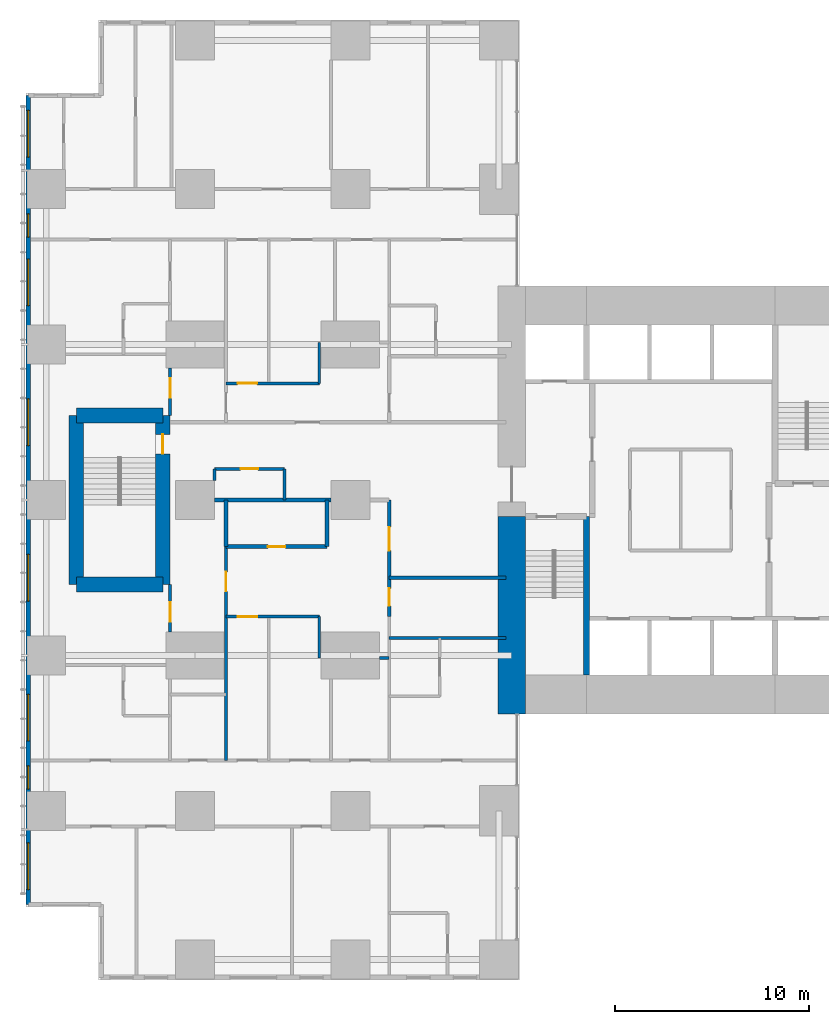
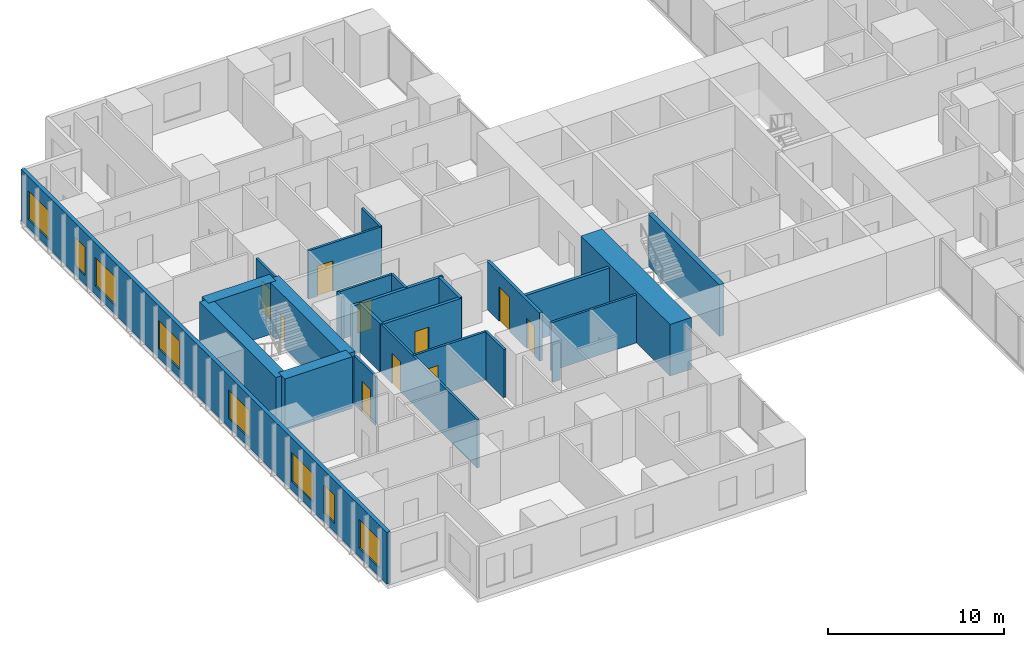
# One storey, part 13 of 21: 25 walls, 10 doors, 8 windows, 18 openings.
"""IFC4 building model written with IfcOpenShell, lengths in metres."""

from ifc_helpers import new_model, si_unit, direction, frame, frame_2d, origin, place, context, subcontext, project, spatial, rectangle, extrude, material, layer, layer_set, type_object, element, fill, save


model = new_model("IFC4")

# Units and contexts
model_context = context("Model", 3, precision=1e-05, world=origin(), true_north=direction((0.0, 1.0)))
body_context = subcontext(model_context, "Body", "Model", "MODEL_VIEW")
ifc_project = project(units=[si_unit("LENGTHUNIT", "METRE"), si_unit("AREAUNIT", "SQUARE_METRE"), si_unit("VOLUMEUNIT", "CUBIC_METRE"), si_unit("PLANEANGLEUNIT", "RADIAN"), si_unit("MASSUNIT", "GRAM", prefix="KILO")], contexts=[model_context])

# Site, building, storey
site_placement = place(None, origin())
site = spatial("IfcSite", under=ifc_project, at=site_placement, CompositionType="ELEMENT")
building_placement = place(site_placement, origin())
building = spatial("IfcBuilding", under=site, at=building_placement, Name="Cleftline Residences", CompositionType="ELEMENT")
storey_placement = place(building_placement, frame((0.0, 0.0, 65.60009765625)))
storey = spatial("IfcBuildingStorey", under=building, at=storey_placement, Name="L16", CompositionType="ELEMENT", Elevation=65.60009765625)

# Walls
ifc_material_1 = material(Name="Concrete B70", Category="concrete")
ifc_layer_1 = layer(ifc_material_1, 1.39990234375)
ifc_layer_set_1 = layer_set([ifc_layer_1], Name="CORE WALL 1400")
wall_type_1 = type_object("IfcWallType", Name="CORE WALL 1400", PredefinedType="SHEAR", material=ifc_layer_set_1)
wall_1_placement = place(storey_placement, frame((24.300048828125, 13.0, 0.0), z_axis=(0.0, 0.0, 1.0), x_axis=(0.0, 1.0, 0.0)))
element("IfcWall", 1, at=wall_1_placement, inside=storey, type_object=wall_type_1, Name="Core wall W0", PredefinedType="SHEAR", context=body_context, shape_type="SweptSolid", body=[
    extrude(rectangle(XDim=10.14990234375, YDim=1.39990234375, at=frame_2d((5.074951171875, 0.0))), origin(), (0.0, 0.0, 1.0), 3.599853515625),
])
ifc_material_2 = material(Name="Concrete B70", Category="concrete")
ifc_layer_2 = layer(ifc_material_2, 0.300048828125)
ifc_layer_set_2 = layer_set([ifc_layer_2], Name="CORE WALL 300")
wall_type_2 = type_object("IfcWallType", Name="CORE WALL 300", PredefinedType="SHEAR", material=ifc_layer_set_2)
wall_2_placement = place(storey_placement, frame((28.14990234375, 15.0, 0.0), z_axis=(0.0, 0.0, 1.0), x_axis=(0.0, 1.0, 0.0)))
element("IfcWall", 2, at=wall_2_placement, inside=storey, type_object=wall_type_2, Name="Core wall SA-E", PredefinedType="SHEAR", context=body_context, shape_type="SweptSolid", body=[
    extrude(rectangle(XDim=8.14990234375, YDim=0.300048828125, at=frame_2d((4.074951171875, 0.0))), origin(), (0.0, 0.0, 1.0), 3.599853515625),
])

# Wall, openings, windows
ifc_material_3 = material(Name="Rendered reinforced concrete blockwork", Category="masonry")
ifc_layer_3 = layer(ifc_material_3, 0.25)
ifc_layer_set_3 = layer_set([ifc_layer_3], Name="EXTERNAL WALL 250")
wall_type_3 = type_object("IfcWallType", Name="EXTERNAL WALL 250", PredefinedType="SOLIDWALL", material=ifc_layer_set_3)
wall_3_placement = place(storey_placement, frame((-0.574951171875, 44.824951171875, 0.0), z_axis=(0.0, 0.0, 1.0), x_axis=(0.0, -1.0, 0.0)))
wall_3 = element("IfcWall", 3, at=wall_3_placement, inside=storey, type_object=wall_type_3, Name="External wall", PredefinedType="SOLIDWALL", context=body_context, shape_type="SweptSolid", body=[
    extrude(rectangle(XDim=41.64990234375, YDim=0.25, at=frame_2d((20.824951171875, 0.0))), origin(), (0.0, 0.0, 1.0), 3.599853515625),
])
opening_1_placement = place(wall_3_placement, frame((0.77490234375, 0.0, 0.60009765625)))
opening_1 = element("IfcOpeningElement", 4, at=opening_1_placement, cuts=wall_3, Name="Opening W6", PredefinedType="OPENING", context=body_context, shape_type="SweptSolid", body=[
    extrude(rectangle(XDim=2.39990234375, YDim=2.0, at=frame_2d((1.199951171875, 1.0))), frame((0.0, 0.135009765625, 0.0), z_axis=(0.0, -1.0, 0.0), x_axis=(1.0, 0.0, 0.0)), (0.0, 0.0, 1.0), 0.27001953125),
])
opening_2_placement = place(wall_3_placement, frame((6.10009765625, 0.0, 0.60009765625)))
opening_2 = element("IfcOpeningElement", 5, at=opening_2_placement, cuts=wall_3, Name="Opening W8", PredefinedType="OPENING", context=body_context, shape_type="SweptSolid", body=[
    extrude(rectangle(XDim=1.199951171875, YDim=2.0, at=frame_2d((0.60009765625, 1.0))), frame((0.0, 0.135009765625, 0.0), z_axis=(0.0, -1.0, 0.0), x_axis=(1.0, 0.0, 0.0)), (0.0, 0.0, 1.0), 0.27001953125),
])
opening_3_placement = place(wall_3_placement, frame((8.425048828125, 0.0, 0.60009765625)))
opening_3 = element("IfcOpeningElement", 6, at=opening_3_placement, cuts=wall_3, Name="Opening W6", PredefinedType="OPENING", context=body_context, shape_type="SweptSolid", body=[
    extrude(rectangle(XDim=2.39990234375, YDim=2.0, at=frame_2d((1.199951171875, 1.0))), frame((0.0, 0.135009765625, 0.0), z_axis=(0.0, -1.0, 0.0), x_axis=(1.0, 0.0, 0.0)), (0.0, 0.0, 1.0), 0.27001953125),
])
opening_4_placement = place(wall_3_placement, frame((15.625, 0.0, 0.60009765625)))
opening_4 = element("IfcOpeningElement", 7, at=opening_4_placement, cuts=wall_3, Name="Opening W6", PredefinedType="OPENING", context=body_context, shape_type="SweptSolid", body=[
    extrude(rectangle(XDim=2.39990234375, YDim=2.0, at=frame_2d((1.199951171875, 1.0))), frame((0.0, 0.135009765625, 0.0), z_axis=(0.0, -1.0, 0.0), x_axis=(1.0, 0.0, 0.0)), (0.0, 0.0, 1.0), 0.27001953125),
])
opening_5_placement = place(wall_3_placement, frame((23.625, 0.0, 0.60009765625)))
opening_5 = element("IfcOpeningElement", 8, at=opening_5_placement, cuts=wall_3, Name="Opening W6", PredefinedType="OPENING", context=body_context, shape_type="SweptSolid", body=[
    extrude(rectangle(XDim=2.39990234375, YDim=2.0, at=frame_2d((1.199951171875, 1.0))), frame((0.0, 0.135009765625, 0.0), z_axis=(0.0, -1.0, 0.0), x_axis=(1.0, 0.0, 0.0)), (0.0, 0.0, 1.0), 0.27001953125),
])
opening_6_placement = place(wall_3_placement, frame((30.824951171875, 0.0, 0.60009765625)))
opening_6 = element("IfcOpeningElement", 9, at=opening_6_placement, cuts=wall_3, Name="Opening W6", PredefinedType="OPENING", context=body_context, shape_type="SweptSolid", body=[
    extrude(rectangle(XDim=2.39990234375, YDim=2.0, at=frame_2d((1.199951171875, 1.0))), frame((0.0, 0.135009765625, 0.0), z_axis=(0.0, -1.0, 0.0), x_axis=(1.0, 0.0, 0.0)), (0.0, 0.0, 1.0), 0.27001953125),
])
opening_7_placement = place(wall_3_placement, frame((34.5, 0.0, 0.60009765625)))
opening_7 = element("IfcOpeningElement", 10, at=opening_7_placement, cuts=wall_3, Name="Opening W8", PredefinedType="OPENING", context=body_context, shape_type="SweptSolid", body=[
    extrude(rectangle(XDim=1.199951171875, YDim=2.0, at=frame_2d((0.60009765625, 1.0))), frame((0.0, 0.135009765625, 0.0), z_axis=(0.0, -1.0, 0.0), x_axis=(1.0, 0.0, 0.0)), (0.0, 0.0, 1.0), 0.27001953125),
])
opening_8_placement = place(wall_3_placement, frame((38.47509765625, 0.0, 0.60009765625)))
opening_8 = element("IfcOpeningElement", 11, at=opening_8_placement, cuts=wall_3, Name="Opening W6", PredefinedType="OPENING", context=body_context, shape_type="SweptSolid", body=[
    extrude(rectangle(XDim=2.39990234375, YDim=2.0, at=frame_2d((1.199951171875, 1.0))), frame((0.0, 0.135009765625, 0.0), z_axis=(0.0, -1.0, 0.0), x_axis=(1.0, 0.0, 0.0)), (0.0, 0.0, 1.0), 0.27001953125),
])
ifc_material_4 = material(Name="Aluminium frame, clear double glazing", Category="aluminium")
window_type_1 = type_object("IfcWindowType", Name="WINDOW 1200X2000", PartitioningType="DOUBLE_PANEL_VERTICAL", PredefinedType="WINDOW", material=ifc_material_4)
window_1_placement = place(opening_2_placement, origin())
window_1 = element("IfcWindow", 12, at=window_1_placement, inside=storey, type_object=window_type_1, Name="Window", OverallHeight=2.0, OverallWidth=1.199951171875, PartitioningType="SINGLE_PANEL", PredefinedType="WINDOW", context=body_context, shape_type="SweptSolid", body=[
    extrude(rectangle(XDim=1.199951171875, YDim=2.0, at=frame_2d((0.60009765625, 1.0))), frame((0.0, 0.030029296875, 0.0), z_axis=(0.0, -1.0, 0.0), x_axis=(1.0, 0.0, 0.0)), (0.0, 0.0, 1.0), 0.06005859375),
])
fill(opening_2, window_1)
window_2_placement = place(opening_7_placement, origin())
window_2 = element("IfcWindow", 13, at=window_2_placement, inside=storey, type_object=window_type_1, Name="Window", OverallHeight=2.0, OverallWidth=1.199951171875, PartitioningType="SINGLE_PANEL", PredefinedType="WINDOW", context=body_context, shape_type="SweptSolid", body=[
    extrude(rectangle(XDim=1.199951171875, YDim=2.0, at=frame_2d((0.60009765625, 1.0))), frame((0.0, 0.030029296875, 0.0), z_axis=(0.0, -1.0, 0.0), x_axis=(1.0, 0.0, 0.0)), (0.0, 0.0, 1.0), 0.06005859375),
])
fill(opening_7, window_2)
ifc_material_5 = material(Name="Aluminium frame, clear double glazing", Category="aluminium")
window_type_2 = type_object("IfcWindowType", Name="WINDOW 2400X2000", PartitioningType="DOUBLE_PANEL_VERTICAL", PredefinedType="WINDOW", material=ifc_material_5)
window_3_placement = place(opening_1_placement, origin())
window_3 = element("IfcWindow", 14, at=window_3_placement, inside=storey, type_object=window_type_2, Name="Window", OverallHeight=2.0, OverallWidth=2.39990234375, PartitioningType="SINGLE_PANEL", PredefinedType="WINDOW", context=body_context, shape_type="SweptSolid", body=[
    extrude(rectangle(XDim=2.39990234375, YDim=2.0, at=frame_2d((1.199951171875, 1.0))), frame((0.0, 0.030029296875, 0.0), z_axis=(0.0, -1.0, 0.0), x_axis=(1.0, 0.0, 0.0)), (0.0, 0.0, 1.0), 0.06005859375),
])
fill(opening_1, window_3)
window_4_placement = place(opening_3_placement, origin())
window_4 = element("IfcWindow", 15, at=window_4_placement, inside=storey, type_object=window_type_2, Name="Window", OverallHeight=2.0, OverallWidth=2.39990234375, PartitioningType="SINGLE_PANEL", PredefinedType="WINDOW", context=body_context, shape_type="SweptSolid", body=[
    extrude(rectangle(XDim=2.39990234375, YDim=2.0, at=frame_2d((1.199951171875, 1.0))), frame((0.0, 0.030029296875, 0.0), z_axis=(0.0, -1.0, 0.0), x_axis=(1.0, 0.0, 0.0)), (0.0, 0.0, 1.0), 0.06005859375),
])
fill(opening_3, window_4)
window_5_placement = place(opening_4_placement, origin())
window_5 = element("IfcWindow", 16, at=window_5_placement, inside=storey, type_object=window_type_2, Name="Window", OverallHeight=2.0, OverallWidth=2.39990234375, PartitioningType="SINGLE_PANEL", PredefinedType="WINDOW", context=body_context, shape_type="SweptSolid", body=[
    extrude(rectangle(XDim=2.39990234375, YDim=2.0, at=frame_2d((1.199951171875, 1.0))), frame((0.0, 0.030029296875, 0.0), z_axis=(0.0, -1.0, 0.0), x_axis=(1.0, 0.0, 0.0)), (0.0, 0.0, 1.0), 0.06005859375),
])
fill(opening_4, window_5)
window_6_placement = place(opening_5_placement, origin())
window_6 = element("IfcWindow", 17, at=window_6_placement, inside=storey, type_object=window_type_2, Name="Window", OverallHeight=2.0, OverallWidth=2.39990234375, PartitioningType="SINGLE_PANEL", PredefinedType="WINDOW", context=body_context, shape_type="SweptSolid", body=[
    extrude(rectangle(XDim=2.39990234375, YDim=2.0, at=frame_2d((1.199951171875, 1.0))), frame((0.0, 0.030029296875, 0.0), z_axis=(0.0, -1.0, 0.0), x_axis=(1.0, 0.0, 0.0)), (0.0, 0.0, 1.0), 0.06005859375),
])
fill(opening_5, window_6)
window_7_placement = place(opening_6_placement, origin())
window_7 = element("IfcWindow", 18, at=window_7_placement, inside=storey, type_object=window_type_2, Name="Window", OverallHeight=2.0, OverallWidth=2.39990234375, PartitioningType="SINGLE_PANEL", PredefinedType="WINDOW", context=body_context, shape_type="SweptSolid", body=[
    extrude(rectangle(XDim=2.39990234375, YDim=2.0, at=frame_2d((1.199951171875, 1.0))), frame((0.0, 0.030029296875, 0.0), z_axis=(0.0, -1.0, 0.0), x_axis=(1.0, 0.0, 0.0)), (0.0, 0.0, 1.0), 0.06005859375),
])
fill(opening_6, window_7)
window_8_placement = place(opening_8_placement, origin())
window_8 = element("IfcWindow", 19, at=window_8_placement, inside=storey, type_object=window_type_2, Name="Window", OverallHeight=2.0, OverallWidth=2.39990234375, PartitioningType="SINGLE_PANEL", PredefinedType="WINDOW", context=body_context, shape_type="SweptSolid", body=[
    extrude(rectangle(XDim=2.39990234375, YDim=2.0, at=frame_2d((1.199951171875, 1.0))), frame((0.0, 0.030029296875, 0.0), z_axis=(0.0, -1.0, 0.0), x_axis=(1.0, 0.0, 0.0)), (0.0, 0.0, 1.0), 0.06005859375),
])
fill(opening_8, window_8)

# Wall
ifc_material_6 = material(Name="Concrete blockwork, fire rated", Category="masonry")
ifc_layer_4 = layer(ifc_material_6, 0.199951171875)
ifc_layer_set_4 = layer_set([ifc_layer_4], Name="FIRE WALL 200")
wall_type_4 = type_object("IfcWallType", Name="FIRE WALL 200", PredefinedType="PARTITIONING", material=ifc_layer_set_4)
wall_4_placement = place(storey_placement, frame((18.0, 20.0, 0.0), z_axis=(0.0, 0.0, 1.0), x_axis=(1.0, 0.0, 0.0)))
element("IfcWall", 20, at=wall_4_placement, inside=storey, type_object=wall_type_4, Name="Fire separating wall", PredefinedType="PARTITIONING", context=body_context, shape_type="SweptSolid", body=[
    extrude(rectangle(XDim=6.0, YDim=0.199951171875, at=frame_2d((3.0, 0.0))), origin(), (0.0, 0.0, 1.0), 3.349853515625),
])

# Wall, opening, door
wall_5_placement = place(storey_placement, frame((9.60009765625, 21.60009765625, 0.0), z_axis=(0.0, 0.0, 1.0), x_axis=(1.0, 0.0, 0.0)))
wall_5 = element("IfcWall", 21, at=wall_5_placement, inside=storey, type_object=wall_type_4, Name="Fire separating wall", PredefinedType="PARTITIONING", context=body_context, shape_type="SweptSolid", body=[
    extrude(rectangle(XDim=5.199951171875, YDim=0.199951171875, at=frame_2d((2.60009765625, 0.0))), origin(), (0.0, 0.0, 1.0), 3.349853515625),
])
opening_9_placement = place(wall_5_placement, frame((2.14990234375, 0.0, 0.0)))
opening_9 = element("IfcOpeningElement", 22, at=opening_9_placement, cuts=wall_5, Name="Opening D1F30", PredefinedType="OPENING", context=body_context, shape_type="SweptSolid", body=[
    extrude(rectangle(XDim=0.89990234375, YDim=2.10009765625, at=frame_2d((0.449951171875, 1.050048828125))), frame((0.0, 0.10986328125, 0.0), z_axis=(0.0, -1.0, 0.0), x_axis=(1.0, 0.0, 0.0)), (0.0, 0.0, 1.0), 0.219970703125),
])
ifc_material_7 = material(Name="Timber veneer on solid core", Category="wood")
door_type_1 = type_object("IfcDoorType", Name="DOOR 900X2100 EI 30", OperationType="SINGLE_SWING_LEFT", PredefinedType="DOOR", material=ifc_material_7)
door_1_placement = place(opening_9_placement, origin())
door_1 = element("IfcDoor", 23, at=door_1_placement, inside=storey, type_object=door_type_1, Name="Door to cloakroom wc", OperationType="SINGLE_SWING_LEFT", OverallHeight=2.10009765625, OverallWidth=0.89990234375, PredefinedType="DOOR", context=body_context, shape_type="SweptSolid", body=[
    extrude(rectangle(XDim=0.89990234375, YDim=2.10009765625, at=frame_2d((0.449951171875, 1.050048828125))), frame((0.0, 0.02490234375, 0.0), z_axis=(0.0, -1.0, 0.0), x_axis=(1.0, 0.0, 0.0)), (0.0, 0.0, 1.0), 0.050048828125),
])
fill(opening_9, door_1)

# Walls
wall_6_placement = place(storey_placement, frame((9.0, 24.0, 0.0), z_axis=(0.0, 0.0, 1.0), x_axis=(1.0, 0.0, 0.0)))
element("IfcWall", 24, at=wall_6_placement, inside=storey, type_object=wall_type_4, Name="Fire separating wall", PredefinedType="PARTITIONING", context=body_context, shape_type="SweptSolid", body=[
    extrude(rectangle(XDim=6.0, YDim=0.199951171875, at=frame_2d((3.0, 0.0))), origin(), (0.0, 0.0, 1.0), 3.349853515625),
])
for number, where, z_axis, x_axis, name in (
    (25, (9.60009765625, 21.60009765625, 0.0), (0.0, 0.0, 1.0), (0.0, 1.0, 0.0), "Fire separating wall"),
    (26, (14.800048828125, 21.60009765625, 0.0), (0.0, 0.0, 1.0), (0.0, 1.0, 0.0), "Fire separating wall"),
):
    element("IfcWall", number, at=place(storey_placement, frame(where, z_axis=z_axis, x_axis=x_axis)), inside=storey, type_object=wall_type_4, Name=name, PredefinedType="PARTITIONING", context=body_context, shape_type="SweptSolid", body=[
        extrude(rectangle(XDim=2.39990234375, YDim=0.199951171875, at=frame_2d((1.199951171875, 0.0))), origin(), (0.0, 0.0, 1.0), 3.349853515625),
    ])

# Wall, openings, doors
wall_7_placement = place(storey_placement, frame((18.0, 18.0, 0.0), z_axis=(0.0, 0.0, 1.0), x_axis=(0.0, 1.0, 0.0)))
wall_7 = element("IfcWall", 27, at=wall_7_placement, inside=storey, type_object=wall_type_4, Name="Fire separating wall", PredefinedType="PARTITIONING", context=body_context, shape_type="SweptSolid", body=[
    extrude(rectangle(XDim=6.0, YDim=0.199951171875, at=frame_2d((3.0, 0.0))), origin(), (0.0, 0.0, 1.0), 3.349853515625),
])
opening_10_placement = place(wall_7_placement, frame((3.39990234375, 0.0, 0.0)))
opening_10 = element("IfcOpeningElement", 28, at=opening_10_placement, cuts=wall_7, Name="Opening D4", PredefinedType="OPENING", context=body_context, shape_type="SweptSolid", body=[
    extrude(rectangle(XDim=1.199951171875, YDim=2.39990234375, at=frame_2d((0.60009765625, 1.199951171875))), frame((0.0, 0.10986328125, 0.0), z_axis=(0.0, -1.0, 0.0), x_axis=(1.0, 0.0, 0.0)), (0.0, 0.0, 1.0), 0.219970703125),
])
opening_11_placement = place(wall_7_placement, frame((0.550048828125, 0.0, 0.0)))
opening_11 = element("IfcOpeningElement", 29, at=opening_11_placement, cuts=wall_7, Name="Opening D1F30", PredefinedType="OPENING", context=body_context, shape_type="SweptSolid", body=[
    extrude(rectangle(XDim=0.89990234375, YDim=2.10009765625, at=frame_2d((0.449951171875, 1.050048828125))), frame((0.0, 0.10986328125, 0.0), z_axis=(0.0, -1.0, 0.0), x_axis=(1.0, 0.0, 0.0)), (0.0, 0.0, 1.0), 0.219970703125),
])
ifc_material_8 = material(Name="Timber veneer on solid core", Category="wood")
door_type_2 = type_object("IfcDoorType", Name="APARTMENT ENTRANCE DOOR 1200X2400", OperationType="SINGLE_SWING_RIGHT", PredefinedType="DOOR", material=ifc_material_8)
door_2_placement = place(opening_10_placement, origin())
door_2 = element("IfcDoor", 30, at=door_2_placement, inside=storey, type_object=door_type_2, Name="Door to residence entrance foyer", OperationType="SINGLE_SWING_LEFT", OverallHeight=2.39990234375, OverallWidth=1.199951171875, PredefinedType="DOOR", context=body_context, shape_type="SweptSolid", body=[
    extrude(rectangle(XDim=1.199951171875, YDim=2.39990234375, at=frame_2d((0.60009765625, 1.199951171875))), frame((0.0, 0.02490234375, 0.0), z_axis=(0.0, -1.0, 0.0), x_axis=(1.0, 0.0, 0.0)), (0.0, 0.0, 1.0), 0.050048828125),
])
fill(opening_10, door_2)
door_3_placement = place(opening_11_placement, origin())
door_3 = element("IfcDoor", 31, at=door_3_placement, inside=storey, type_object=door_type_1, Name="Door to laundry", OperationType="SINGLE_SWING_RIGHT", OverallHeight=2.10009765625, OverallWidth=0.89990234375, PredefinedType="DOOR", context=body_context, shape_type="SweptSolid", body=[
    extrude(rectangle(XDim=0.89990234375, YDim=2.10009765625, at=frame_2d((0.449951171875, 1.050048828125))), frame((0.0, 0.02490234375, 0.0), z_axis=(0.0, -1.0, 0.0), x_axis=(1.0, 0.0, 0.0)), (0.0, 0.0, 1.0), 0.050048828125),
])
fill(opening_11, door_3)

# Walls
ifc_material_9 = material(Name="Gypsum board on steel studs", Category="steel")
ifc_layer_5 = layer(ifc_material_9, 0.14990234375)
ifc_layer_set_5 = layer_set([ifc_layer_5], Name="PARTITION 150")
wall_type_5 = type_object("IfcWallType", Name="PARTITION 150", PredefinedType="PARTITIONING", material=ifc_layer_set_5)
wall_8_placement = place(storey_placement, frame((17.5, 15.875, 0.0), z_axis=(0.0, 0.0, 1.0), x_axis=(1.0, 0.0, 0.0)))
element("IfcWall", 32, at=wall_8_placement, inside=storey, type_object=wall_type_5, Name="Partition", PredefinedType="PARTITIONING", context=body_context, shape_type="SweptSolid", body=[
    extrude(rectangle(XDim=0.5, YDim=0.14990234375, at=frame_2d((0.25, 0.0))), origin(), (0.0, 0.0, 1.0), 2.6337890625),
])
wall_9_placement = place(storey_placement, frame((18.0, 16.89990234375, 0.0), z_axis=(0.0, 0.0, 1.0), x_axis=(1.0, 0.0, 0.0)))
element("IfcWall", 33, at=wall_9_placement, inside=storey, type_object=wall_type_5, Name="Partition", PredefinedType="PARTITIONING", context=body_context, shape_type="SweptSolid", body=[
    extrude(rectangle(XDim=6.0, YDim=0.14990234375, at=frame_2d((3.0, 0.0))), origin(), (0.0, 0.0, 1.0), 3.349853515625),
])

# Wall, opening, door
wall_10_placement = place(storey_placement, frame((9.60009765625, 18.0, 0.0), z_axis=(0.0, 0.0, 1.0), x_axis=(1.0, 0.0, 0.0)))
wall_10 = element("IfcWall", 34, at=wall_10_placement, inside=storey, type_object=wall_type_5, Name="Partition", PredefinedType="PARTITIONING", context=body_context, shape_type="SweptSolid", body=[
    extrude(rectangle(XDim=4.7998046875, YDim=0.14990234375, at=frame_2d((2.39990234375, 0.0))), origin(), (0.0, 0.0, 1.0), 3.349853515625),
])
opening_12_placement = place(wall_10_placement, frame((0.60009765625, 0.0, 0.0)))
opening_12 = element("IfcOpeningElement", 35, at=opening_12_placement, cuts=wall_10, Name="Opening D2", PredefinedType="OPENING", context=body_context, shape_type="SweptSolid", body=[
    extrude(rectangle(XDim=1.0, YDim=2.10009765625, at=frame_2d((0.5, 1.050048828125))), frame((0.0, 0.0849609375, 0.0), z_axis=(0.0, -1.0, 0.0), x_axis=(1.0, 0.0, 0.0)), (0.0, 0.0, 1.0), 0.169921875),
])
ifc_material_10 = material(Name="Timber veneer on solid core", Category="wood")
door_type_3 = type_object("IfcDoorType", Name="DOOR 1000X2100", OperationType="SINGLE_SWING_LEFT", PredefinedType="DOOR", material=ifc_material_10)
door_4_placement = place(opening_12_placement, origin())
door_4 = element("IfcDoor", 36, at=door_4_placement, inside=storey, type_object=door_type_3, Name="Door to residence passage", OperationType="SINGLE_SWING_RIGHT", OverallHeight=2.10009765625, OverallWidth=1.0, PredefinedType="DOOR", context=body_context, shape_type="SweptSolid", body=[
    extrude(rectangle(XDim=1.0, YDim=2.10009765625, at=frame_2d((0.5, 1.050048828125))), frame((0.0, 0.02490234375, 0.0), z_axis=(0.0, -1.0, 0.0), x_axis=(1.0, 0.0, 0.0)), (0.0, 0.0, 1.0), 0.050048828125),
])
fill(opening_12, door_4)

wall_11_placement = place(storey_placement, frame((9.0, 25.60009765625, 0.0), z_axis=(0.0, 0.0, 1.0), x_axis=(1.0, 0.0, 0.0)))
wall_11 = element("IfcWall", 37, at=wall_11_placement, inside=storey, type_object=wall_type_5, Name="Partition", PredefinedType="PARTITIONING", context=body_context, shape_type="SweptSolid", body=[
    extrude(rectangle(XDim=3.60009765625, YDim=0.14990234375, at=frame_2d((1.800048828125, 0.0))), origin(), (0.0, 0.0, 1.0), 3.349853515625),
])
opening_13_placement = place(wall_11_placement, frame((1.35009765625, 0.0, 0.0)))
opening_13 = element("IfcOpeningElement", 38, at=opening_13_placement, cuts=wall_11, Name="Opening D1", PredefinedType="OPENING", context=body_context, shape_type="SweptSolid", body=[
    extrude(rectangle(XDim=0.89990234375, YDim=2.10009765625, at=frame_2d((0.449951171875, 1.050048828125))), frame((0.0, 0.0849609375, 0.0), z_axis=(0.0, -1.0, 0.0), x_axis=(1.0, 0.0, 0.0)), (0.0, 0.0, 1.0), 0.169921875),
])
ifc_material_11 = material(Name="Timber veneer on solid core", Category="wood")
door_type_4 = type_object("IfcDoorType", Name="DOOR 900X2100", OperationType="SINGLE_SWING_LEFT", PredefinedType="DOOR", material=ifc_material_11)
door_5_placement = place(opening_13_placement, origin())
door_5 = element("IfcDoor", 39, at=door_5_placement, inside=storey, type_object=door_type_4, Name="Door to residents' storage room", OperationType="SINGLE_SWING_LEFT", OverallHeight=2.10009765625, OverallWidth=0.89990234375, PredefinedType="DOOR", context=body_context, shape_type="SweptSolid", body=[
    extrude(rectangle(XDim=0.89990234375, YDim=2.10009765625, at=frame_2d((0.449951171875, 1.050048828125))), frame((0.0, 0.02490234375, 0.0), z_axis=(0.0, -1.0, 0.0), x_axis=(1.0, 0.0, 0.0)), (0.0, 0.0, 1.0), 0.050048828125),
])
fill(opening_13, door_5)

wall_12_placement = place(storey_placement, frame((9.60009765625, 30.0, 0.0), z_axis=(0.0, 0.0, 1.0), x_axis=(1.0, 0.0, 0.0)))
wall_12 = element("IfcWall", 40, at=wall_12_placement, inside=storey, type_object=wall_type_5, Name="Partition", PredefinedType="PARTITIONING", context=body_context, shape_type="SweptSolid", body=[
    extrude(rectangle(XDim=4.7998046875, YDim=0.14990234375, at=frame_2d((2.39990234375, 0.0))), origin(), (0.0, 0.0, 1.0), 3.349853515625),
])
opening_14_placement = place(wall_12_placement, frame((0.60009765625, 0.0, 0.0)))
opening_14 = element("IfcOpeningElement", 41, at=opening_14_placement, cuts=wall_12, Name="Opening D2", PredefinedType="OPENING", context=body_context, shape_type="SweptSolid", body=[
    extrude(rectangle(XDim=1.0, YDim=2.10009765625, at=frame_2d((0.5, 1.050048828125))), frame((0.0, 0.0849609375, 0.0), z_axis=(0.0, -1.0, 0.0), x_axis=(1.0, 0.0, 0.0)), (0.0, 0.0, 1.0), 0.169921875),
])
door_6_placement = place(opening_14_placement, origin())
door_6 = element("IfcDoor", 42, at=door_6_placement, inside=storey, type_object=door_type_3, Name="Door to residence passage", OperationType="SINGLE_SWING_RIGHT", OverallHeight=2.10009765625, OverallWidth=1.0, PredefinedType="DOOR", context=body_context, shape_type="SweptSolid", body=[
    extrude(rectangle(XDim=1.0, YDim=2.10009765625, at=frame_2d((0.5, 1.050048828125))), frame((0.0, 0.02490234375, 0.0), z_axis=(0.0, -1.0, 0.0), x_axis=(1.0, 0.0, 0.0)), (0.0, 0.0, 1.0), 0.050048828125),
])
fill(opening_14, door_6)

wall_13_placement = place(storey_placement, frame((6.72509765625, 17.199951171875, 0.0), z_axis=(0.0, 0.0, 1.0), x_axis=(0.0, 1.0, 0.0)))
wall_13 = element("IfcWall", 43, at=wall_13_placement, inside=storey, type_object=wall_type_5, Name="Partition", PredefinedType="PARTITIONING", context=body_context, shape_type="SweptSolid", body=[
    extrude(rectangle(XDim=2.449951171875, YDim=0.14990234375, at=frame_2d((1.22509765625, 0.0))), origin(), (0.0, 0.0, 1.0), 3.349853515625),
])
opening_15_placement = place(wall_13_placement, frame((0.53759765625, 0.0, 0.0)))
opening_15 = element("IfcOpeningElement", 44, at=opening_15_placement, cuts=wall_13, Name="Opening D2", PredefinedType="OPENING", context=body_context, shape_type="SweptSolid", body=[
    extrude(rectangle(XDim=1.0, YDim=2.10009765625, at=frame_2d((0.5, 1.050048828125))), frame((0.0, 0.0849609375, 0.0), z_axis=(0.0, -1.0, 0.0), x_axis=(1.0, 0.0, 0.0)), (0.0, 0.0, 1.0), 0.169921875),
])
door_7_placement = place(opening_15_placement, origin())
door_7 = element("IfcDoor", 45, at=door_7_placement, inside=storey, type_object=door_type_3, Name="Door to staff bedroom", OperationType="SINGLE_SWING_RIGHT", OverallHeight=2.10009765625, OverallWidth=1.0, PredefinedType="DOOR", context=body_context, shape_type="SweptSolid", body=[
    extrude(rectangle(XDim=1.0, YDim=2.10009765625, at=frame_2d((0.5, 1.050048828125))), frame((0.0, 0.02490234375, 0.0), z_axis=(0.0, -1.0, 0.0), x_axis=(1.0, 0.0, 0.0)), (0.0, 0.0, 1.0), 0.050048828125),
])
fill(opening_15, door_7)

wall_14_placement = place(storey_placement, frame((6.72509765625, 28.35009765625, 0.0), z_axis=(0.0, 0.0, 1.0), x_axis=(0.0, 1.0, 0.0)))
wall_14 = element("IfcWall", 46, at=wall_14_placement, inside=storey, type_object=wall_type_5, Name="Partition", PredefinedType="PARTITIONING", context=body_context, shape_type="SweptSolid", body=[
    extrude(rectangle(XDim=2.449951171875, YDim=0.14990234375, at=frame_2d((1.22509765625, 0.0))), origin(), (0.0, 0.0, 1.0), 3.349853515625),
])
opening_16_placement = place(wall_14_placement, frame((0.91259765625, 0.0, 0.0)))
opening_16 = element("IfcOpeningElement", 47, at=opening_16_placement, cuts=wall_14, Name="Opening D2", PredefinedType="OPENING", context=body_context, shape_type="SweptSolid", body=[
    extrude(rectangle(XDim=1.0, YDim=2.10009765625, at=frame_2d((0.5, 1.050048828125))), frame((0.0, 0.0849609375, 0.0), z_axis=(0.0, -1.0, 0.0), x_axis=(1.0, 0.0, 0.0)), (0.0, 0.0, 1.0), 0.169921875),
])
door_8_placement = place(opening_16_placement, origin())
door_8 = element("IfcDoor", 48, at=door_8_placement, inside=storey, type_object=door_type_3, Name="Door to altar room", OperationType="SINGLE_SWING_LEFT", OverallHeight=2.10009765625, OverallWidth=1.0, PredefinedType="DOOR", context=body_context, shape_type="SweptSolid", body=[
    extrude(rectangle(XDim=1.0, YDim=2.10009765625, at=frame_2d((0.5, 1.050048828125))), frame((0.0, 0.02490234375, 0.0), z_axis=(0.0, -1.0, 0.0), x_axis=(1.0, 0.0, 0.0)), (0.0, 0.0, 1.0), 0.050048828125),
])
fill(opening_16, door_8)

# Wall
wall_15_placement = place(storey_placement, frame((9.0, 25.0, 0.0), z_axis=(0.0, 0.0, 1.0), x_axis=(0.0, 1.0, 0.0)))
element("IfcWall", 49, at=wall_15_placement, inside=storey, type_object=wall_type_5, Name="Partition", PredefinedType="PARTITIONING", context=body_context, shape_type="SweptSolid", body=[
    extrude(rectangle(XDim=0.60009765625, YDim=0.14990234375, at=frame_2d((0.300048828125, 0.0))), origin(), (0.0, 0.0, 1.0), 3.349853515625),
])

# Wall, opening, door
wall_16_placement = place(storey_placement, frame((9.60009765625, 10.60009765625, 0.0), z_axis=(0.0, 0.0, 1.0), x_axis=(0.0, 1.0, 0.0)))
wall_16 = element("IfcWall", 50, at=wall_16_placement, inside=storey, type_object=wall_type_5, Name="Partition", PredefinedType="PARTITIONING", context=body_context, shape_type="SweptSolid", body=[
    extrude(rectangle(XDim=11.0, YDim=0.14990234375, at=frame_2d((5.5, 0.0))), origin(), (0.0, 0.0, 1.0), 3.349853515625),
])
opening_17_placement = place(wall_16_placement, frame((8.699951171875, 0.0, 0.0)))
opening_17 = element("IfcOpeningElement", 51, at=opening_17_placement, cuts=wall_16, Name="Opening D2F30", PredefinedType="OPENING", context=body_context, shape_type="SweptSolid", body=[
    extrude(rectangle(XDim=1.0, YDim=2.10009765625, at=frame_2d((0.5, 1.050048828125))), frame((0.0, 0.0849609375, 0.0), z_axis=(0.0, -1.0, 0.0), x_axis=(1.0, 0.0, 0.0)), (0.0, 0.0, 1.0), 0.169921875),
])
ifc_material_12 = material(Name="Timber veneer on solid core", Category="wood")
door_type_5 = type_object("IfcDoorType", Name="DOOR 1000X2100 EI 30", OperationType="SINGLE_SWING_LEFT", PredefinedType="DOOR", material=ifc_material_12)
door_9_placement = place(opening_17_placement, origin())
door_9 = element("IfcDoor", 52, at=door_9_placement, inside=storey, type_object=door_type_5, Name="Door to residence lobby (service)", OperationType="SINGLE_SWING_LEFT", OverallHeight=2.10009765625, OverallWidth=1.0, PredefinedType="DOOR", context=body_context, shape_type="SweptSolid", body=[
    extrude(rectangle(XDim=1.0, YDim=2.10009765625, at=frame_2d((0.5, 1.050048828125))), frame((0.0, 0.02490234375, 0.0), z_axis=(0.0, -1.0, 0.0), x_axis=(1.0, 0.0, 0.0)), (0.0, 0.0, 1.0), 0.050048828125),
])
fill(opening_17, door_9)

# Walls
wall_17_placement = place(storey_placement, frame((12.60009765625, 24.0, 0.0), z_axis=(0.0, 0.0, 1.0), x_axis=(0.0, 1.0, 0.0)))
element("IfcWall", 53, at=wall_17_placement, inside=storey, type_object=wall_type_5, Name="Partition", PredefinedType="PARTITIONING", context=body_context, shape_type="SweptSolid", body=[
    extrude(rectangle(XDim=1.60009765625, YDim=0.14990234375, at=frame_2d((0.800048828125, 0.0))), origin(), (0.0, 0.0, 1.0), 3.349853515625),
])
wall_18_placement = place(storey_placement, frame((14.39990234375, 15.875, 0.0), z_axis=(0.0, 0.0, 1.0), x_axis=(0.0, 1.0, 0.0)))
element("IfcWall", 54, at=wall_18_placement, inside=storey, type_object=wall_type_5, Name="Partition", PredefinedType="PARTITIONING", context=body_context, shape_type="SweptSolid", body=[
    extrude(rectangle(XDim=2.125, YDim=0.14990234375, at=frame_2d((1.0625, 0.0))), origin(), (0.0, 0.0, 1.0), 3.349853515625),
])
wall_19_placement = place(storey_placement, frame((14.39990234375, 30.0, 0.0), z_axis=(0.0, 0.0, 1.0), x_axis=(0.0, 1.0, 0.0)))
element("IfcWall", 55, at=wall_19_placement, inside=storey, type_object=wall_type_5, Name="Partition", PredefinedType="PARTITIONING", context=body_context, shape_type="SweptSolid", body=[
    extrude(rectangle(XDim=2.10009765625, YDim=0.14990234375, at=frame_2d((1.050048828125, 0.0))), origin(), (0.0, 0.0, 1.0), 3.349853515625),
])
ifc_material_13 = material(Name="Concrete B70", Category="concrete")
ifc_layer_6 = layer(ifc_material_13, 0.75)
ifc_layer_set_6 = layer_set([ifc_layer_6], Name="SHEAR WALL 750")
wall_type_6 = type_object("IfcWallType", Name="SHEAR WALL 750", PredefinedType="SHEAR", material=ifc_layer_set_6)
wall_20_placement = place(storey_placement, frame((1.89990234375, 19.64990234375, 0.0), z_axis=(0.0, 0.0, 1.0), x_axis=(1.0, 0.0, 0.0)))
element("IfcWall", 56, at=wall_20_placement, inside=storey, type_object=wall_type_6, Name="Wing shear wall", PredefinedType="SHEAR", context=body_context, shape_type="SweptSolid", body=[
    extrude(rectangle(XDim=4.4501953125, YDim=0.75, at=frame_2d((2.22509765625, 0.0))), origin(), (0.0, 0.0, 1.0), 3.599853515625),
])

# Wall, opening, door
wall_21_placement = place(storey_placement, frame((6.35009765625, 19.64990234375, 0.0), z_axis=(0.0, 0.0, 1.0), x_axis=(0.0, 1.0, 0.0)))
wall_21 = element("IfcWall", 57, at=wall_21_placement, inside=storey, type_object=wall_type_6, Name="Wing shear wall", PredefinedType="SHEAR", context=body_context, shape_type="SweptSolid", body=[
    extrude(rectangle(XDim=8.7001953125, YDim=0.75, at=frame_2d((4.35009765625, 0.0))), origin(), (0.0, 0.0, 1.0), 3.599853515625),
])
opening_18_placement = place(wall_21_placement, frame((6.72509765625, 0.0, 0.0)))
opening_18 = element("IfcOpeningElement", 58, at=opening_18_placement, cuts=wall_21, Name="Opening D5", PredefinedType="OPENING", context=body_context, shape_type="SweptSolid", body=[
    extrude(rectangle(XDim=1.0, YDim=2.10009765625, at=frame_2d((0.5, 1.050048828125))), frame((0.0, 0.385009765625, 0.0), z_axis=(0.0, -1.0, 0.0), x_axis=(1.0, 0.0, 0.0)), (0.0, 0.0, 1.0), 0.77001953125),
])
ifc_material_14 = material(Name="Steel", Category="steel")
door_type_6 = type_object("IfcDoorType", Name="STAIR DOOR 1000X2100", OperationType="SINGLE_SWING_LEFT", PredefinedType="DOOR", material=ifc_material_14)
door_10_placement = place(opening_18_placement, origin())
door_10 = element("IfcDoor", 59, at=door_10_placement, inside=storey, type_object=door_type_6, Name="Stair W door", OperationType="SINGLE_SWING_LEFT", OverallHeight=2.10009765625, OverallWidth=1.0, PredefinedType="DOOR", context=body_context, shape_type="SweptSolid", body=[
    extrude(rectangle(XDim=1.0, YDim=2.10009765625, at=frame_2d((0.5, 1.050048828125))), frame((0.0, 0.02490234375, 0.0), z_axis=(0.0, -1.0, 0.0), x_axis=(1.0, 0.0, 0.0)), (0.0, 0.0, 1.0), 0.050048828125),
])
fill(opening_18, door_10)

# Walls
wall_22_placement = place(storey_placement, frame((6.35009765625, 28.35009765625, 0.0), z_axis=(0.0, 0.0, 1.0), x_axis=(-1.0, 0.0, 0.0)))
element("IfcWall", 60, at=wall_22_placement, inside=storey, type_object=wall_type_6, Name="Wing shear wall", PredefinedType="SHEAR", context=body_context, shape_type="SweptSolid", body=[
    extrude(rectangle(XDim=4.4501953125, YDim=0.75, at=frame_2d((2.22509765625, 0.0))), origin(), (0.0, 0.0, 1.0), 3.599853515625),
])
wall_23_placement = place(storey_placement, frame((1.89990234375, 28.35009765625, 0.0), z_axis=(0.0, 0.0, 1.0), x_axis=(0.0, -1.0, 0.0)))
element("IfcWall", 61, at=wall_23_placement, inside=storey, type_object=wall_type_6, Name="Wing shear wall", PredefinedType="SHEAR", context=body_context, shape_type="SweptSolid", body=[
    extrude(rectangle(XDim=8.7001953125, YDim=0.75, at=frame_2d((4.35009765625, 0.0))), origin(), (0.0, 0.0, 1.0), 3.599853515625),
])

save(model, "model.ifc")
